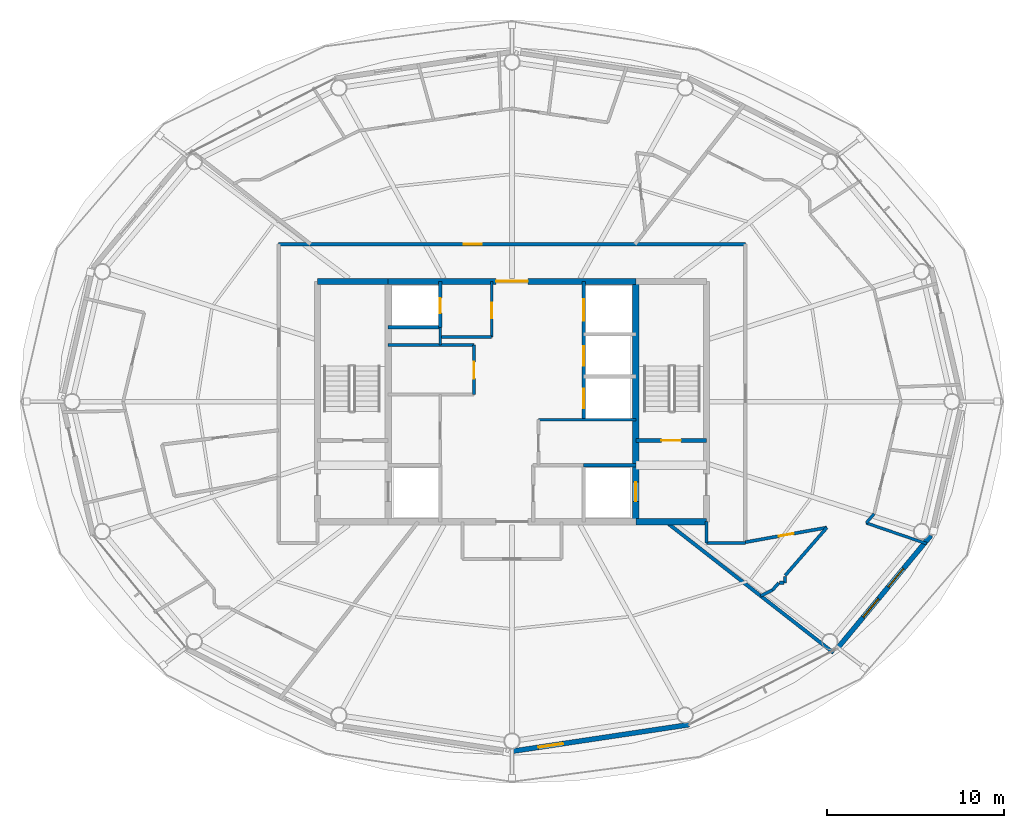
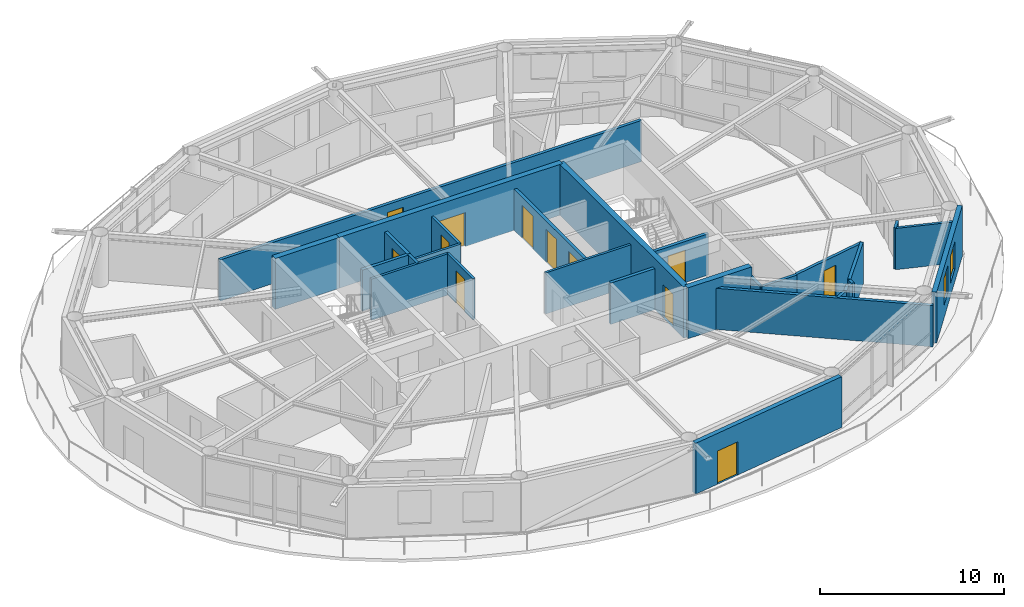
# One storey, part 17 of 22: 29 walls, 12 doors, 2 windows, 14 openings.
"""IFC4 building model written with IfcOpenShell, lengths in metres."""

from ifc_helpers import new_model, si_unit, direction, frame, frame_2d, origin, place, context, subcontext, project, spatial, rectangle, extrude, material, layer, layer_set, type_object, element, fill, save


model = new_model("IFC4")

# Units and contexts
model_context = context("Model", 3, precision=1e-05, world=origin(), true_north=direction((0.0, 1.0)))
body_context = subcontext(model_context, "Body", "Model", "MODEL_VIEW")
ifc_project = project(units=[si_unit("LENGTHUNIT", "METRE"), si_unit("AREAUNIT", "SQUARE_METRE"), si_unit("VOLUMEUNIT", "CUBIC_METRE"), si_unit("PLANEANGLEUNIT", "RADIAN"), si_unit("MASSUNIT", "GRAM", prefix="KILO")], contexts=[model_context])

# Site, building, storey
site_placement = place(None, origin())
site = spatial("IfcSite", under=ifc_project, at=site_placement, CompositionType="ELEMENT")
building_placement = place(site_placement, origin())
building = spatial("IfcBuilding", under=site, at=building_placement, Name="Sarneth Arch Tower", CompositionType="ELEMENT")
storey_placement = place(building_placement, frame((0.0, 0.0, 301.800048828125)))
storey = spatial("IfcBuildingStorey", under=building, at=storey_placement, Name="L78", CompositionType="ELEMENT", Elevation=301.800048828125)

# Walls
ifc_material_1 = material(Name="Concrete C50/60", Category="concrete")
ifc_layer_1 = layer(ifc_material_1, 0.35009765625)
ifc_layer_set_1 = layer_set([ifc_layer_1], Name="Concrete C50/60")
wall_type_1 = type_object("IfcWallType", Name="WALL-CORE-350", PredefinedType="SHEAR", material=ifc_layer_set_1)
for number, where, z_axis, x_axis, name in (
    (1, (55.0, 35.199951171875, 0.0), (0.0, 0.0, 1.0), (1.0, 0.0, 0.0), "L78 Core shear wall S-E"),
    (2, (37.0, 48.800048828125, 0.0), (0.0, 0.0, 1.0), (1.0, 0.0, 0.0), "L78 Core shear wall N-W"),
):
    element("IfcWall", number, at=place(storey_placement, frame(where, z_axis=z_axis, x_axis=x_axis)), inside=storey, type_object=wall_type_1, Name=name, PredefinedType="SHEAR", context=body_context, shape_type="SweptSolid", body=[
        extrude(rectangle(XDim=4.0, YDim=0.35009765625, at=frame_2d((2.0, 0.0))), origin(), (0.0, 0.0, 1.0), 3.369873046875),
    ])

# Wall, opening, door
wall_1_placement = place(storey_placement, frame((41.0, 48.800048828125, 0.0), z_axis=(0.0, 0.0, 1.0), x_axis=(1.0, 0.0, 0.0)))
wall_1 = element("IfcWall", 3, at=wall_1_placement, inside=storey, type_object=wall_type_1, Name="L78 Core shear wall N-M", PredefinedType="SHEAR", context=body_context, shape_type="SweptSolid", body=[
    extrude(rectangle(XDim=14.0, YDim=0.35009765625, at=frame_2d((7.0, 0.0))), origin(), (0.0, 0.0, 1.0), 3.369873046875),
])
opening_1_placement = place(wall_1_placement, frame((6.10009765625, 0.0, 0.0)))
opening_1 = element("IfcOpeningElement", 4, at=opening_1_placement, cuts=wall_1, Name="Opening FD-01", PredefinedType="OPENING", context=body_context, shape_type="SweptSolid", body=[
    extrude(rectangle(XDim=1.800048828125, YDim=2.25, at=frame_2d((0.89990234375, 1.125))), frame((0.0, 0.18505859375, 0.0), z_axis=(0.0, -1.0, 0.0), x_axis=(1.0, 0.0, 0.0)), (0.0, 0.0, 1.0), 0.3701171875),
])
ifc_material_2 = material(Name="Galvanised Steel S275 fire door set", Category="steel")
door_type_1 = type_object("IfcDoorType", Name="DR-FD90-1800", OperationType="DOUBLE_DOOR_SINGLE_SWING", PredefinedType="DOOR", material=ifc_material_2)
door_1_placement = place(opening_1_placement, origin())
door_1 = element("IfcDoor", 5, at=door_1_placement, inside=storey, type_object=door_type_1, Name="L78 Central lift lobby north door", OperationType="DOUBLE_DOOR_SINGLE_SWING", OverallHeight=2.25, OverallWidth=1.800048828125, PredefinedType="DOOR", context=body_context, shape_type="SweptSolid", body=[
    extrude(rectangle(XDim=1.800048828125, YDim=2.25, at=frame_2d((0.89990234375, 1.125))), frame((0.0, 0.02490234375, 0.0), z_axis=(0.0, -1.0, 0.0), x_axis=(1.0, 0.0, 0.0)), (0.0, 0.0, 1.0), 0.050048828125),
])
fill(opening_1, door_1)

wall_2_placement = place(storey_placement, frame((55.0, 35.199951171875, 0.0), z_axis=(0.0, 0.0, 1.0), x_axis=(0.0, 1.0, 0.0)))
wall_2 = element("IfcWall", 6, at=wall_2_placement, inside=storey, type_object=wall_type_1, Name="L78 Core shear wall WEB-E", PredefinedType="SHEAR", context=body_context, shape_type="SweptSolid", body=[
    extrude(rectangle(XDim=13.60009765625, YDim=0.35009765625, at=frame_2d((6.800048828125, 0.0))), origin(), (0.0, 0.0, 1.0), 3.369873046875),
])
opening_2_placement = place(wall_2_placement, frame((1.14990234375, 0.0, 0.0)))
opening_2 = element("IfcOpeningElement", 7, at=opening_2_placement, cuts=wall_2, Name="Opening LD-1", PredefinedType="OPENING", context=body_context, shape_type="SweptSolid", body=[
    extrude(rectangle(XDim=1.10009765625, YDim=2.199951171875, at=frame_2d((0.550048828125, 1.10009765625))), frame((0.0, 0.18505859375, 0.0), z_axis=(0.0, -1.0, 0.0), x_axis=(1.0, 0.0, 0.0)), (0.0, 0.0, 1.0), 0.3701171875),
])
ifc_material_3 = material(Name="Brushed Stainless Steel 304 lift landing door", Category="steel")
door_type_2 = type_object("IfcDoorType", Name="DR-LIFT-SLIDE-1100", OperationType="SLIDING_TO_LEFT", PredefinedType="DOOR", material=ifc_material_3)
door_2_placement = place(opening_2_placement, origin())
door_2 = element("IfcDoor", 8, at=door_2_placement, inside=storey, type_object=door_type_2, Name="L78 Firefighting lift landing door FL-2", OperationType="SLIDING_TO_RIGHT", OverallHeight=2.199951171875, OverallWidth=1.10009765625, PredefinedType="DOOR", context=body_context, shape_type="SweptSolid", body=[
    extrude(rectangle(XDim=1.10009765625, YDim=2.199951171875, at=frame_2d((0.550048828125, 1.10009765625))), frame((0.0, 0.02490234375, 0.0), z_axis=(0.0, -1.0, 0.0), x_axis=(1.0, 0.0, 0.0)), (0.0, 0.0, 1.0), 0.050048828125),
])
fill(opening_2, door_2)

ifc_material_4 = material(Name="Double steel-stud corridor fire wall", Category="steel")
ifc_layer_2 = layer(ifc_material_4, 0.18994140625)
ifc_layer_set_2 = layer_set([ifc_layer_2], Name="Double steel-stud corridor fire wall")
wall_type_2 = type_object("IfcWallType", Name="WALL-CORR-190", PredefinedType="PARTITIONING", material=ifc_layer_set_2)
wall_3_placement = place(storey_placement, frame((34.800048828125, 50.89990234375, 0.0), z_axis=(0.0, 0.0, 1.0), x_axis=(1.0, 0.0, 0.0)))
wall_3 = element("IfcWall", 9, at=wall_3_placement, inside=storey, type_object=wall_type_2, Name="L78 Interior partition W-L78-TP-001", PredefinedType="PARTITIONING", context=body_context, shape_type="SweptSolid", body=[
    extrude(rectangle(XDim=26.39990234375, YDim=0.18994140625, at=frame_2d((13.199951171875, 0.0))), origin(), (0.0, 0.0, 1.0), 2.72998046875),
])
opening_3_placement = place(wall_3_placement, frame((10.475341796875, 0.0, 0.0)))
opening_3 = element("IfcOpeningElement", 10, at=opening_3_placement, cuts=wall_3, Name="Opening FD-08", PredefinedType="OPENING", context=body_context, shape_type="SweptSolid", body=[
    extrude(rectangle(XDim=1.0, YDim=2.199951171875, at=frame_2d((0.5, 1.10009765625))), frame((0.0, 0.10498046875, 0.0), z_axis=(0.0, -1.0, 0.0), x_axis=(1.0, 0.0, 0.0)), (0.0, 0.0, 1.0), 0.2099609375),
])
ifc_material_5 = material(Name="Hardwood timber acoustic fire door", Category="wood")
door_type_3 = type_object("IfcDoorType", Name="DR-FD60-1000", OperationType="SINGLE_SWING_LEFT", PredefinedType="DOOR", material=ifc_material_5)
door_3_placement = place(opening_3_placement, origin())
door_3 = element("IfcDoor", 11, at=door_3_placement, inside=storey, type_object=door_type_3, Name="L78 Interior door DR-L78-U1-ENT", OperationType="SINGLE_SWING_LEFT", OverallHeight=2.199951171875, OverallWidth=1.0, PredefinedType="DOOR", context=body_context, shape_type="SweptSolid", body=[
    extrude(rectangle(XDim=1.0, YDim=2.199951171875, at=frame_2d((0.5, 1.10009765625))), frame((0.0, 0.02490234375, 0.0), z_axis=(0.0, -1.0, 0.0), x_axis=(1.0, 0.0, 0.0)), (0.0, 0.0, 1.0), 0.050048828125),
])
fill(opening_3, door_3)

ifc_material_6 = material(Name="Extruded terracotta rainscreen on Concrete C40/50 backing", Category="masonry")
ifc_layer_3 = layer(ifc_material_6, 0.280029296875)
ifc_layer_set_3 = layer_set([ifc_layer_3], Name="Extruded terracotta rainscreen on Concrete C40/50 backing")
wall_type_3 = type_object("IfcWallType", Name="WALL-EXT-TERRA-280", PredefinedType="SOLIDWALL", material=ifc_layer_set_3)
wall_4_placement = place(storey_placement, frame((48.0, 22.219970703125, 0.0), z_axis=(0.0, 0.0, 1.0), x_axis=(0.988882522213, 0.148698881169, 0.0)))
wall_4 = element("IfcWall", 12, at=wall_4_placement, inside=storey, type_object=wall_type_3, Name="L78 Terracotta perimeter wall 13", PredefinedType="SOLIDWALL", context=body_context, shape_type="SweptSolid", body=[
    extrude(rectangle(XDim=10.125244140625, YDim=0.280029296875, at=frame_2d((5.0625, 0.0))), origin(), (0.0, 0.0, 1.0), 3.369873046875),
])
opening_4_placement = place(wall_4_placement, frame((1.51611328125, 0.0, 0.0)))
opening_4 = element("IfcOpeningElement", 13, at=opening_4_placement, cuts=wall_4, Name="Opening BD-2", PredefinedType="OPENING", context=body_context, shape_type="SweptSolid", body=[
    extrude(rectangle(XDim=1.39990234375, YDim=2.199951171875, at=frame_2d((0.699951171875, 1.10009765625))), frame((0.0, 0.14990234375, 0.0), z_axis=(0.0, -1.0, 0.0), x_axis=(1.0, 0.0, 0.0)), (0.0, 0.0, 1.0), 0.300048828125),
])
ifc_material_7 = material(Name="Thermally broken Aluminium 6063-T6 and laminated safety glass", Category="aluminium")
door_type_4 = type_object("IfcDoorType", Name="DR-BALC-GLZ-1400", OperationType="SINGLE_SWING_LEFT", PredefinedType="DOOR", material=ifc_material_7)
door_4_placement = place(opening_4_placement, origin())
door_4 = element("IfcDoor", 14, at=door_4_placement, inside=storey, type_object=door_type_4, Name="L78 Balcony glazed door 13", OperationType="SINGLE_SWING_LEFT", OverallHeight=2.199951171875, OverallWidth=1.39990234375, PredefinedType="DOOR", context=body_context, shape_type="SweptSolid", body=[
    extrude(rectangle(XDim=1.39990234375, YDim=2.199951171875, at=frame_2d((0.699951171875, 1.10009765625))), frame((0.0, 0.02490234375, 0.0), z_axis=(0.0, -1.0, 0.0), x_axis=(1.0, 0.0, 0.0)), (0.0, 0.0, 1.0), 0.050048828125),
])
fill(opening_4, door_4)

# Wall, openings, windows
wall_5_placement = place(storey_placement, frame((66.382568359375, 28.013427734375, 0.0), z_axis=(0.0, 0.0, 1.0), x_axis=(0.63761509934, 0.770355103243, 0.0)))
wall_5 = element("IfcWall", 15, at=wall_5_placement, inside=storey, type_object=wall_type_3, Name="L78 Terracotta perimeter wall 15", PredefinedType="SOLIDWALL", context=body_context, shape_type="SweptSolid", body=[
    extrude(rectangle(XDim=8.329833984375, YDim=0.280029296875, at=frame_2d((4.1650390625, 0.0))), origin(), (0.0, 0.0, 1.0), 3.369873046875),
])
opening_5_placement = place(wall_5_placement, frame((2.326416015625, 0.0, 0.85009765625)))
opening_5 = element("IfcOpeningElement", 16, at=opening_5_placement, cuts=wall_5, Name="Opening W-08", PredefinedType="OPENING", context=body_context, shape_type="SweptSolid", body=[
    extrude(rectangle(XDim=1.35009765625, YDim=1.800048828125, at=frame_2d((0.675048828125, 0.89990234375))), frame((0.0, 0.14990234375, 0.0), z_axis=(0.0, -1.0, 0.0), x_axis=(1.0, 0.0, 0.0)), (0.0, 0.0, 1.0), 0.300048828125),
])
opening_6_placement = place(wall_5_placement, frame((4.54638671875, 0.0, 0.85009765625)))
opening_6 = element("IfcOpeningElement", 17, at=opening_6_placement, cuts=wall_5, Name="Opening W-08", PredefinedType="OPENING", context=body_context, shape_type="SweptSolid", body=[
    extrude(rectangle(XDim=1.35009765625, YDim=1.800048828125, at=frame_2d((0.675048828125, 0.89990234375))), frame((0.0, 0.14990234375, 0.0), z_axis=(0.0, -1.0, 0.0), x_axis=(1.0, 0.0, 0.0)), (0.0, 0.0, 1.0), 0.300048828125),
])
ifc_material_8 = material(Name="Thermally broken Aluminium 6063-T6 and low-e laminated IGU", Category="aluminium")
window_type = type_object("IfcWindowType", Name="WIN-TWR-1350x1800", PartitioningType="SINGLE_PANEL", PredefinedType="WINDOW", material=ifc_material_8)
window_1_placement = place(opening_5_placement, origin())
window_1 = element("IfcWindow", 18, at=window_1_placement, inside=storey, type_object=window_type, Name="L78 Exterior window 15A", OverallHeight=1.800048828125, OverallWidth=1.35009765625, PartitioningType="SINGLE_PANEL", PredefinedType="WINDOW", context=body_context, shape_type="SweptSolid", body=[
    extrude(rectangle(XDim=1.35009765625, YDim=1.800048828125, at=frame_2d((0.675048828125, 0.89990234375))), frame((0.0, 0.030029296875, 0.0), z_axis=(0.0, -1.0, 0.0), x_axis=(1.0, 0.0, 0.0)), (0.0, 0.0, 1.0), 0.06005859375),
])
fill(opening_5, window_1)
window_2_placement = place(opening_6_placement, origin())
window_2 = element("IfcWindow", 19, at=window_2_placement, inside=storey, type_object=window_type, Name="L78 Exterior window 15B", OverallHeight=1.800048828125, OverallWidth=1.35009765625, PartitioningType="SINGLE_PANEL", PredefinedType="WINDOW", context=body_context, shape_type="SweptSolid", body=[
    extrude(rectangle(XDim=1.35009765625, YDim=1.800048828125, at=frame_2d((0.675048828125, 0.89990234375))), frame((0.0, 0.030029296875, 0.0), z_axis=(0.0, -1.0, 0.0), x_axis=(1.0, 0.0, 0.0)), (0.0, 0.0, 1.0), 0.06005859375),
])
fill(opening_6, window_2)

# Walls
ifc_material_9 = material(Name="Acoustic gypsum stud partition", Category="gypsum")
ifc_layer_4 = layer(ifc_material_9, 0.14990234375)
ifc_layer_set_4 = layer_set([ifc_layer_4], Name="Acoustic gypsum stud partition")
wall_type_4 = type_object("IfcWallType", Name="WALL-PART-150", PredefinedType="PARTITIONING", material=ifc_layer_set_4)
wall_6_placement = place(storey_placement, frame((41.0, 45.199951171875, 0.0), z_axis=(0.0, 0.0, 1.0), x_axis=(1.0, 0.0, 0.0)))
element("IfcWall", 20, at=wall_6_placement, inside=storey, type_object=wall_type_4, Name="L78 Interior partition W-L78-RECPM1-N", PredefinedType="PARTITIONING", context=body_context, shape_type="SweptSolid", body=[
    extrude(rectangle(XDim=4.85009765625, YDim=0.14990234375, at=frame_2d((2.425048828125, 0.0))), origin(), (0.0, 0.0, 1.0), 2.72998046875),
])
wall_7_placement = place(storey_placement, frame((43.949951171875, 45.199951171875, 0.0), z_axis=(0.0, 0.0, 1.0), x_axis=(0.0, 1.0, 0.0)))
element("IfcWall", 21, at=wall_7_placement, inside=storey, type_object=wall_type_4, Name="L78 Interior partition W-L78-RECPM1-W2", PredefinedType="PARTITIONING", context=body_context, shape_type="SweptSolid", body=[
    extrude(rectangle(XDim=1.0, YDim=0.14990234375, at=frame_2d((0.5, 0.0))), origin(), (0.0, 0.0, 1.0), 2.72998046875),
])

# Wall, opening, door
wall_8_placement = place(storey_placement, frame((45.85009765625, 42.39990234375, 0.0), z_axis=(0.0, 0.0, 1.0), x_axis=(0.0, 1.0, 0.0)))
wall_8 = element("IfcWall", 22, at=wall_8_placement, inside=storey, type_object=wall_type_4, Name="L78 Interior partition W-L78-RECPM1-E", PredefinedType="PARTITIONING", context=body_context, shape_type="SweptSolid", body=[
    extrude(rectangle(XDim=2.800048828125, YDim=0.14990234375, at=frame_2d((1.39990234375, 0.0))), origin(), (0.0, 0.0, 1.0), 2.72998046875),
])
opening_7_placement = place(wall_8_placement, frame((0.89990234375, 0.0, 0.0)))
opening_7 = element("IfcOpeningElement", 23, at=opening_7_placement, cuts=wall_8, Name="Opening FD-09", PredefinedType="OPENING", context=body_context, shape_type="SweptSolid", body=[
    extrude(rectangle(XDim=0.949951171875, YDim=2.14990234375, at=frame_2d((0.47509765625, 1.074951171875))), frame((0.0, 0.0849609375, 0.0), z_axis=(0.0, -1.0, 0.0), x_axis=(1.0, 0.0, 0.0)), (0.0, 0.0, 1.0), 0.169921875),
])
ifc_material_10 = material(Name="Hardwood timber hotel entrance fire door", Category="wood")
door_type_5 = type_object("IfcDoorType", Name="DR-FD60-950", OperationType="SINGLE_SWING_RIGHT", PredefinedType="DOOR", material=ifc_material_10)
door_5_placement = place(opening_7_placement, origin())
door_5 = element("IfcDoor", 24, at=door_5_placement, inside=storey, type_object=door_type_5, Name="L78 Interior door DR-L78-RECPM1", OperationType="SINGLE_SWING_RIGHT", OverallHeight=2.14990234375, OverallWidth=0.949951171875, PredefinedType="DOOR", context=body_context, shape_type="SweptSolid", body=[
    extrude(rectangle(XDim=0.949951171875, YDim=2.14990234375, at=frame_2d((0.47509765625, 1.074951171875))), frame((0.0, 0.02490234375, 0.0), z_axis=(0.0, -1.0, 0.0), x_axis=(1.0, 0.0, 0.0)), (0.0, 0.0, 1.0), 0.050048828125),
])
fill(opening_7, door_5)

# Walls
wall_9_placement = place(storey_placement, frame((49.5, 40.97998046875, 0.0), z_axis=(0.0, 0.0, 1.0), x_axis=(1.0, 0.0, 0.0)))
element("IfcWall", 25, at=wall_9_placement, inside=storey, type_object=wall_type_4, Name="L78 Interior partition W-L78-RECPM2-N", PredefinedType="PARTITIONING", context=body_context, shape_type="SweptSolid", body=[
    extrude(rectangle(XDim=5.5, YDim=0.14990234375, at=frame_2d((2.75, 0.0))), origin(), (0.0, 0.0, 1.0), 2.72998046875),
])
wall_10_placement = place(storey_placement, frame((43.949951171875, 45.64990234375, 0.0), z_axis=(0.0, 0.0, 1.0), x_axis=(1.0, 0.0, 0.0)))
element("IfcWall", 26, at=wall_10_placement, inside=storey, type_object=wall_type_4, Name="L78 Interior partition W-L78-CSUP1-S", PredefinedType="PARTITIONING", context=body_context, shape_type="SweptSolid", body=[
    extrude(rectangle(XDim=2.900146484375, YDim=0.14990234375, at=frame_2d((1.4501953125, 0.0))), origin(), (0.0, 0.0, 1.0), 2.72998046875),
])

# Wall, opening, door
wall_11_placement = place(storey_placement, frame((46.85009765625, 45.64990234375, 0.0), z_axis=(0.0, 0.0, 1.0), x_axis=(0.0, 1.0, 0.0)))
wall_11 = element("IfcWall", 27, at=wall_11_placement, inside=storey, type_object=wall_type_4, Name="L78 Interior partition W-L78-CSUP1-E", PredefinedType="PARTITIONING", context=body_context, shape_type="SweptSolid", body=[
    extrude(rectangle(XDim=3.150146484375, YDim=0.14990234375, at=frame_2d((1.5751953125, 0.0))), origin(), (0.0, 0.0, 1.0), 2.72998046875),
])
opening_8_placement = place(wall_11_placement, frame((1.050048828125, 0.0, 0.0)))
opening_8 = element("IfcOpeningElement", 28, at=opening_8_placement, cuts=wall_11, Name="Opening FD-10", PredefinedType="OPENING", context=body_context, shape_type="SweptSolid", body=[
    extrude(rectangle(XDim=0.89990234375, YDim=2.14990234375, at=frame_2d((0.449951171875, 1.074951171875))), frame((0.0, 0.0849609375, 0.0), z_axis=(0.0, -1.0, 0.0), x_axis=(1.0, 0.0, 0.0)), (0.0, 0.0, 1.0), 0.169921875),
])
ifc_material_11 = material(Name="Galvanised Steel S275 riser/service fire door", Category="steel")
door_type_6 = type_object("IfcDoorType", Name="DR-FD60-900", OperationType="SINGLE_SWING_LEFT", PredefinedType="DOOR", material=ifc_material_11)
door_6_placement = place(opening_8_placement, origin())
door_6 = element("IfcDoor", 29, at=door_6_placement, inside=storey, type_object=door_type_6, Name="L78 Interior door DR-L78-CSUP1", OperationType="SINGLE_SWING_LEFT", OverallHeight=2.14990234375, OverallWidth=0.89990234375, PredefinedType="DOOR", context=body_context, shape_type="SweptSolid", body=[
    extrude(rectangle(XDim=0.89990234375, YDim=2.14990234375, at=frame_2d((0.449951171875, 1.074951171875))), frame((0.0, 0.02490234375, 0.0), z_axis=(0.0, -1.0, 0.0), x_axis=(1.0, 0.0, 0.0)), (0.0, 0.0, 1.0), 0.050048828125),
])
fill(opening_8, door_6)

# Walls
ifc_material_12 = material(Name="Kitchen wet service chase wall", Category="gypsum")
ifc_layer_5 = layer(ifc_material_12, 0.159912109375)
ifc_layer_set_5 = layer_set([ifc_layer_5], Name="Kitchen wet service chase wall")
wall_type_5 = type_object("IfcWallType", Name="WALL-PLUMB-160", PredefinedType="PLUMBINGWALL", material=ifc_layer_set_5)
wall_12_placement = place(storey_placement, frame((71.451904296875, 33.96240234375, 0.0), z_axis=(0.0, 0.0, 1.0), x_axis=(-0.945979125591, 0.32422753422, 0.0)))
element("IfcWall", 30, at=wall_12_placement, inside=storey, type_object=wall_type_5, Name="L78 Interior partition W-L78-TP-061", PredefinedType="PLUMBINGWALL", context=body_context, shape_type="SweptSolid", body=[
    extrude(rectangle(XDim=3.611328125, YDim=0.159912109375, at=frame_2d((1.8056640625, 0.0))), origin(), (0.0, 0.0, 1.0), 2.72998046875),
])
wall_13_placement = place(storey_placement, frame((68.03564453125, 35.13330078125, 0.0), z_axis=(0.0, 0.0, 1.0), x_axis=(0.649207140033, 0.760611654743, 0.0)))
element("IfcWall", 31, at=wall_13_placement, inside=storey, type_object=wall_type_5, Name="L78 Interior partition W-L78-TP-062", PredefinedType="PLUMBINGWALL", context=body_context, shape_type="SweptSolid", body=[
    extrude(rectangle(XDim=0.68603515625, YDim=0.159912109375, at=frame_2d((0.343017578125, 0.0))), origin(), (0.0, 0.0, 1.0), 2.72998046875),
])

# Wall, opening, door
ifc_material_13 = material(Name="Moisture-resistant plumbing chase wall", Category="gypsum")
ifc_layer_6 = layer(ifc_material_13, 0.179931640625)
ifc_layer_set_6 = layer_set([ifc_layer_6], Name="Moisture-resistant plumbing chase wall")
wall_type_6 = type_object("IfcWallType", Name="WALL-PLUMB-180", PredefinedType="PLUMBINGWALL", material=ifc_layer_set_6)
wall_14_placement = place(storey_placement, frame((65.81005859375, 34.87548828125, 0.0), z_axis=(0.0, 0.0, 1.0), x_axis=(-0.984255399889, -0.1767521083, 0.0)))
wall_14 = element("IfcWall", 32, at=wall_14_placement, inside=storey, type_object=wall_type_6, Name="L78 Interior partition W-L78-TP-069", PredefinedType="PLUMBINGWALL", context=body_context, shape_type="SweptSolid", body=[
    extrude(rectangle(XDim=4.683837890625, YDim=0.179931640625, at=frame_2d((2.341796875, 0.0))), origin(), (0.0, 0.0, 1.0), 2.72998046875),
])
opening_9_placement = place(wall_14_placement, frame((1.9169921875, 0.0, 0.0)))
opening_9 = element("IfcOpeningElement", 33, at=opening_9_placement, cuts=wall_14, Name="Opening ID-02", PredefinedType="OPENING", context=body_context, shape_type="SweptSolid", body=[
    extrude(rectangle(XDim=0.85009765625, YDim=2.10009765625, at=frame_2d((0.425048828125, 1.050048828125))), frame((0.0, 0.099853515625, 0.0), z_axis=(0.0, -1.0, 0.0), x_axis=(1.0, 0.0, 0.0)), (0.0, 0.0, 1.0), 0.199951171875),
])
ifc_material_14 = material(Name="Moisture-resistant bathroom timber door", Category="wood")
door_type_7 = type_object("IfcDoorType", Name="DR-INT-850", OperationType="SINGLE_SWING_RIGHT", PredefinedType="DOOR", material=ifc_material_14)
door_7_placement = place(opening_9_placement, origin())
door_7 = element("IfcDoor", 34, at=door_7_placement, inside=storey, type_object=door_type_7, Name="L78 Interior door DR-L78-U4-BATH", OperationType="SINGLE_SWING_RIGHT", OverallHeight=2.10009765625, OverallWidth=0.85009765625, PredefinedType="DOOR", context=body_context, shape_type="SweptSolid", body=[
    extrude(rectangle(XDim=0.85009765625, YDim=2.10009765625, at=frame_2d((0.425048828125, 1.050048828125))), frame((0.0, 0.02490234375, 0.0), z_axis=(0.0, -1.0, 0.0), x_axis=(1.0, 0.0, 0.0)), (0.0, 0.0, 1.0), 0.050048828125),
])
fill(opening_9, door_7)

# Walls
wall_15_placement = place(storey_placement, frame((63.449951171875, 32.1630859375, 0.0), z_axis=(0.0, 0.0, 1.0), x_axis=(0.656415720833, 0.754399364689, 0.0)))
element("IfcWall", 35, at=wall_15_placement, inside=storey, type_object=wall_type_6, Name="L78 Interior partition W-L78-TP-068", PredefinedType="PLUMBINGWALL", context=body_context, shape_type="SweptSolid", body=[
    extrude(rectangle(XDim=3.595458984375, YDim=0.179931640625, at=frame_2d((1.7978515625, 0.0))), origin(), (0.0, 0.0, 1.0), 2.72998046875),
])
wall_16_placement = place(storey_placement, frame((61.199951171875, 34.0, 0.0), z_axis=(0.0, 0.0, 1.0), x_axis=(-1.0, 0.0, 0.0)))
element("IfcWall", 36, at=wall_16_placement, inside=storey, type_object=wall_type_6, Name="L78 Interior partition W-L78-TP-010", PredefinedType="PLUMBINGWALL", context=body_context, shape_type="SweptSolid", body=[
    extrude(rectangle(XDim=2.199951171875, YDim=0.179931640625, at=frame_2d((1.10009765625, 0.0))), origin(), (0.0, 0.0, 1.0), 2.72998046875),
])
wall_17_placement = place(storey_placement, frame((59.0, 34.0, 0.0), z_axis=(0.0, 0.0, 1.0), x_axis=(0.0, 1.0, 0.0)))
element("IfcWall", 37, at=wall_17_placement, inside=storey, type_object=wall_type_6, Name="L78 Interior partition W-L78-TP-011", PredefinedType="PLUMBINGWALL", context=body_context, shape_type="SweptSolid", body=[
    extrude(rectangle(XDim=1.23193359375, YDim=0.179931640625, at=frame_2d((0.615966796875, 0.0))), origin(), (0.0, 0.0, 1.0), 2.72998046875),
])
wall_18_placement = place(storey_placement, frame((62.064208984375, 31.01171875, 0.0), z_axis=(0.0, 0.0, 1.0), x_axis=(0.898856964529, 0.438242121798, 0.0)))
element("IfcWall", 38, at=wall_18_placement, inside=storey, type_object=wall_type_6, Name="L78 Interior partition W-L78-TP-064", PredefinedType="PLUMBINGWALL", context=body_context, shape_type="SweptSolid", body=[
    extrude(rectangle(XDim=0.741943359375, YDim=0.179931640625, at=frame_2d((0.37109375, 0.0))), origin(), (0.0, 0.0, 1.0), 2.72998046875),
])
wall_19_placement = place(storey_placement, frame((62.731201171875, 31.3369140625, 0.0), z_axis=(0.0, 0.0, 1.0), x_axis=(0.656609016673, 0.754231131168, 0.0)))
element("IfcWall", 39, at=wall_19_placement, inside=storey, type_object=wall_type_6, Name="L78 Interior partition W-L78-TP-065", PredefinedType="PLUMBINGWALL", context=body_context, shape_type="SweptSolid", body=[
    extrude(rectangle(XDim=0.547607421875, YDim=0.179931640625, at=frame_2d((0.27392578125, 0.0))), origin(), (0.0, 0.0, 1.0), 2.72998046875),
])
wall_20_placement = place(storey_placement, frame((63.449951171875, 31.75, 0.0), z_axis=(0.0, 0.0, 1.0), x_axis=(0.0, 1.0, 0.0)))
element("IfcWall", 40, at=wall_20_placement, inside=storey, type_object=wall_type_6, Name="L78 Interior partition W-L78-TP-067", PredefinedType="PLUMBINGWALL", context=body_context, shape_type="SweptSolid", body=[
    extrude(rectangle(XDim=0.364990234375, YDim=0.179931640625, at=frame_2d((0.1826171875, 0.0))), origin(), (0.0, 0.0, 1.0), 2.72998046875),
])
wall_21_placement = place(storey_placement, frame((63.142578125, 31.75, 0.0), z_axis=(0.0, 0.0, 1.0), x_axis=(1.0, 0.0, 0.0)))
element("IfcWall", 41, at=wall_21_placement, inside=storey, type_object=wall_type_6, Name="L78 Interior partition W-L78-TP-066", PredefinedType="PLUMBINGWALL", context=body_context, shape_type="SweptSolid", body=[
    extrude(rectangle(XDim=0.2314453125, YDim=0.179931640625, at=frame_2d((0.11572265625, 0.0))), origin(), (0.0, 0.0, 1.0), 2.72998046875),
])

# Wall, opening, door
ifc_material_15 = material(Name="Aerated concrete blockwork C25/30", Category="masonry")
ifc_layer_7 = layer(ifc_material_15, 0.199951171875)
ifc_layer_set_7 = layer_set([ifc_layer_7], Name="Aerated concrete blockwork C25/30")
wall_type_7 = type_object("IfcWallType", Name="WALL-SHAFT-200", PredefinedType="SOLIDWALL", material=ifc_layer_set_7)
wall_22_placement = place(storey_placement, frame((55.0, 39.800048828125, 0.0), z_axis=(0.0, 0.0, 1.0), x_axis=(1.0, 0.0, 0.0)))
wall_22 = element("IfcWall", 42, at=wall_22_placement, inside=storey, type_object=wall_type_7, Name="L78 Interior partition W-L78-ST2-S", PredefinedType="SOLIDWALL", context=body_context, shape_type="SweptSolid", body=[
    extrude(rectangle(XDim=4.0, YDim=0.199951171875, at=frame_2d((2.0, 0.0))), origin(), (0.0, 0.0, 1.0), 2.72998046875),
])
opening_10_placement = place(wall_22_placement, frame((1.449951171875, 0.0, 0.0)))
opening_10 = element("IfcOpeningElement", 43, at=opening_10_placement, cuts=wall_22, Name="Opening FD-03", PredefinedType="OPENING", context=body_context, shape_type="SweptSolid", body=[
    extrude(rectangle(XDim=1.10009765625, YDim=2.14990234375, at=frame_2d((0.550048828125, 1.074951171875))), frame((0.0, 0.10986328125, 0.0), z_axis=(0.0, -1.0, 0.0), x_axis=(1.0, 0.0, 0.0)), (0.0, 0.0, 1.0), 0.219970703125),
])
ifc_material_16 = material(Name="Galvanised Steel S275 fire door set", Category="steel")
door_type_8 = type_object("IfcDoorType", Name="DR-FD90-1100", OperationType="SINGLE_SWING_LEFT", PredefinedType="DOOR", material=ifc_material_16)
door_8_placement = place(opening_10_placement, origin())
door_8 = element("IfcDoor", 44, at=door_8_placement, inside=storey, type_object=door_type_8, Name="L78 Interior door DR-L78-ST2", OperationType="SINGLE_SWING_RIGHT", OverallHeight=2.14990234375, OverallWidth=1.10009765625, PredefinedType="DOOR", context=body_context, shape_type="SweptSolid", body=[
    extrude(rectangle(XDim=1.10009765625, YDim=2.14990234375, at=frame_2d((0.550048828125, 1.074951171875))), frame((0.0, 0.02490234375, 0.0), z_axis=(0.0, -1.0, 0.0), x_axis=(1.0, 0.0, 0.0)), (0.0, 0.0, 1.0), 0.050048828125),
])
fill(opening_10, door_8)

# Walls
for number, where, z_axis, x_axis, name in (
    (45, (52.050048828125, 38.39990234375, 0.0), (0.0, 0.0, 1.0), (1.0, 0.0, 0.0), "L78 Interior partition W-L78-FL2-N"),
    (46, (41.0, 46.199951171875, 0.0), (0.0, 0.0, 1.0), (1.0, 0.0, 0.0), "L78 Interior partition W-L78-RISER-S"),
):
    element("IfcWall", number, at=place(storey_placement, frame(where, z_axis=z_axis, x_axis=x_axis)), inside=storey, type_object=wall_type_7, Name=name, PredefinedType="SOLIDWALL", context=body_context, shape_type="SweptSolid", body=[
        extrude(rectangle(XDim=2.949951171875, YDim=0.199951171875, at=frame_2d((1.47509765625, 0.0))), origin(), (0.0, 0.0, 1.0), 2.72998046875),
    ])

# Wall, opening, door
wall_23_placement = place(storey_placement, frame((43.949951171875, 46.199951171875, 0.0), z_axis=(0.0, 0.0, 1.0), x_axis=(0.0, 1.0, 0.0)))
wall_23 = element("IfcWall", 47, at=wall_23_placement, inside=storey, type_object=wall_type_7, Name="L78 Interior partition W-L78-RISER-E", PredefinedType="SOLIDWALL", context=body_context, shape_type="SweptSolid", body=[
    extrude(rectangle(XDim=2.60009765625, YDim=0.199951171875, at=frame_2d((1.300048828125, 0.0))), origin(), (0.0, 0.0, 1.0), 2.72998046875),
])
opening_11_placement = place(wall_23_placement, frame((0.800048828125, 0.0, 0.0)))
opening_11 = element("IfcOpeningElement", 48, at=opening_11_placement, cuts=wall_23, Name="Opening FD-11", PredefinedType="OPENING", context=body_context, shape_type="SweptSolid", body=[
    extrude(rectangle(XDim=0.85009765625, YDim=2.14990234375, at=frame_2d((0.425048828125, 1.074951171875))), frame((0.0, 0.10986328125, 0.0), z_axis=(0.0, -1.0, 0.0), x_axis=(1.0, 0.0, 0.0)), (0.0, 0.0, 1.0), 0.219970703125),
])
ifc_material_17 = material(Name="Galvanised Steel S275 closet fire door", Category="steel")
door_type_9 = type_object("IfcDoorType", Name="DR-FD60-850", OperationType="SINGLE_SWING_LEFT", PredefinedType="DOOR", material=ifc_material_17)
door_9_placement = place(opening_11_placement, origin())
door_9 = element("IfcDoor", 49, at=door_9_placement, inside=storey, type_object=door_type_9, Name="L78 Lift landing door DR-L78-RISER", OperationType="SINGLE_SWING_LEFT", OverallHeight=2.14990234375, OverallWidth=0.85009765625, PredefinedType="DOOR", context=body_context, shape_type="SweptSolid", body=[
    extrude(rectangle(XDim=0.85009765625, YDim=2.14990234375, at=frame_2d((0.425048828125, 1.074951171875))), frame((0.0, 0.02490234375, 0.0), z_axis=(0.0, -1.0, 0.0), x_axis=(1.0, 0.0, 0.0)), (0.0, 0.0, 1.0), 0.050048828125),
])
fill(opening_11, door_9)

# Wall, openings, doors
wall_24_placement = place(storey_placement, frame((52.050048828125, 40.97998046875, 0.0), z_axis=(0.0, 0.0, 1.0), x_axis=(0.0, 1.0, 0.0)))
wall_24 = element("IfcWall", 50, at=wall_24_placement, inside=storey, type_object=wall_type_7, Name="L78 Interior partition W-L78-EASTBANK-UPPER", PredefinedType="SOLIDWALL", context=body_context, shape_type="SweptSolid", body=[
    extrude(rectangle(XDim=7.820068359375, YDim=0.199951171875, at=frame_2d((3.91015625, 0.0))), origin(), (0.0, 0.0, 1.0), 2.72998046875),
])
opening_12_placement = place(wall_24_placement, frame((0.64990234375, 0.0, 0.0)))
opening_12 = element("IfcOpeningElement", 51, at=opening_12_placement, cuts=wall_24, Name="Opening LD-1", PredefinedType="OPENING", context=body_context, shape_type="SweptSolid", body=[
    extrude(rectangle(XDim=1.10009765625, YDim=2.199951171875, at=frame_2d((0.550048828125, 1.10009765625))), frame((0.0, 0.10986328125, 0.0), z_axis=(0.0, -1.0, 0.0), x_axis=(1.0, 0.0, 0.0)), (0.0, 0.0, 1.0), 0.219970703125),
])
opening_13_placement = place(wall_24_placement, frame((3.050048828125, 0.0, 0.0)))
opening_13 = element("IfcOpeningElement", 52, at=opening_13_placement, cuts=wall_24, Name="Opening LD-1", PredefinedType="OPENING", context=body_context, shape_type="SweptSolid", body=[
    extrude(rectangle(XDim=1.10009765625, YDim=2.199951171875, at=frame_2d((0.550048828125, 1.10009765625))), frame((0.0, 0.10986328125, 0.0), z_axis=(0.0, -1.0, 0.0), x_axis=(1.0, 0.0, 0.0)), (0.0, 0.0, 1.0), 0.219970703125),
])
opening_14_placement = place(wall_24_placement, frame((5.60009765625, 0.0, 0.0)))
opening_14 = element("IfcOpeningElement", 53, at=opening_14_placement, cuts=wall_24, Name="Opening LD-2", PredefinedType="OPENING", context=body_context, shape_type="SweptSolid", body=[
    extrude(rectangle(XDim=1.199951171875, YDim=2.199951171875, at=frame_2d((0.60009765625, 1.10009765625))), frame((0.0, 0.10986328125, 0.0), z_axis=(0.0, -1.0, 0.0), x_axis=(1.0, 0.0, 0.0)), (0.0, 0.0, 1.0), 0.219970703125),
])
door_10_placement = place(opening_12_placement, origin())
door_10 = element("IfcDoor", 54, at=door_10_placement, inside=storey, type_object=door_type_2, Name="L78 Lift landing door DR-L78-LD-PH1", OperationType="SLIDING_TO_RIGHT", OverallHeight=2.199951171875, OverallWidth=1.10009765625, PredefinedType="DOOR", context=body_context, shape_type="SweptSolid", body=[
    extrude(rectangle(XDim=1.10009765625, YDim=2.199951171875, at=frame_2d((0.550048828125, 1.10009765625))), frame((0.0, 0.02490234375, 0.0), z_axis=(0.0, -1.0, 0.0), x_axis=(1.0, 0.0, 0.0)), (0.0, 0.0, 1.0), 0.050048828125),
])
fill(opening_12, door_10)
door_11_placement = place(opening_13_placement, origin())
door_11 = element("IfcDoor", 55, at=door_11_placement, inside=storey, type_object=door_type_2, Name="L78 Lift landing door DR-L78-LD-PH2", OperationType="SLIDING_TO_LEFT", OverallHeight=2.199951171875, OverallWidth=1.10009765625, PredefinedType="DOOR", context=body_context, shape_type="SweptSolid", body=[
    extrude(rectangle(XDim=1.10009765625, YDim=2.199951171875, at=frame_2d((0.550048828125, 1.10009765625))), frame((0.0, 0.02490234375, 0.0), z_axis=(0.0, -1.0, 0.0), x_axis=(1.0, 0.0, 0.0)), (0.0, 0.0, 1.0), 0.050048828125),
])
fill(opening_13, door_11)
ifc_material_18 = material(Name="Brushed Stainless Steel 304 service lift door", Category="steel")
door_type_10 = type_object("IfcDoorType", Name="DR-LIFT-SLIDE-1200", OperationType="SLIDING_TO_RIGHT", PredefinedType="DOOR", material=ifc_material_18)
door_12_placement = place(opening_14_placement, origin())
door_12 = element("IfcDoor", 56, at=door_12_placement, inside=storey, type_object=door_type_10, Name="L78 Lift landing door DR-L78-LD-SL1", OperationType="SLIDING_TO_RIGHT", OverallHeight=2.199951171875, OverallWidth=1.199951171875, PredefinedType="DOOR", context=body_context, shape_type="SweptSolid", body=[
    extrude(rectangle(XDim=1.199951171875, YDim=2.199951171875, at=frame_2d((0.60009765625, 1.10009765625))), frame((0.0, 0.02490234375, 0.0), z_axis=(0.0, -1.0, 0.0), x_axis=(1.0, 0.0, 0.0)), (0.0, 0.0, 1.0), 0.050048828125),
])
fill(opening_14, door_12)

# Wall
ifc_material_19 = material(Name="Double steel-stud acoustic drywall", Category="steel")
ifc_layer_8 = layer(ifc_material_19, 0.199951171875)
ifc_layer_set_8 = layer_set([ifc_layer_8], Name="Double steel-stud acoustic drywall")
wall_type_8 = type_object("IfcWallType", Name="WALL-UNIT-200", PredefinedType="PARTITIONING", material=ifc_layer_set_8)
wall_25_placement = place(storey_placement, frame((56.70361328125, 35.199951171875, 0.0), z_axis=(0.0, 0.0, 1.0), x_axis=(0.78802314347, -0.615645616695, 0.0)))
element("IfcWall", 57, at=wall_25_placement, inside=storey, type_object=wall_type_8, Name="L78 Interior partition W-L78-TP-058", PredefinedType="PARTITIONING", context=body_context, shape_type="SweptSolid", body=[
    extrude(rectangle(XDim=12.034423828125, YDim=0.199951171875, at=frame_2d((6.01708984375, 0.0))), origin(), (0.0, 0.0, 1.0), 2.72998046875),
])

save(model, "model.ifc")
